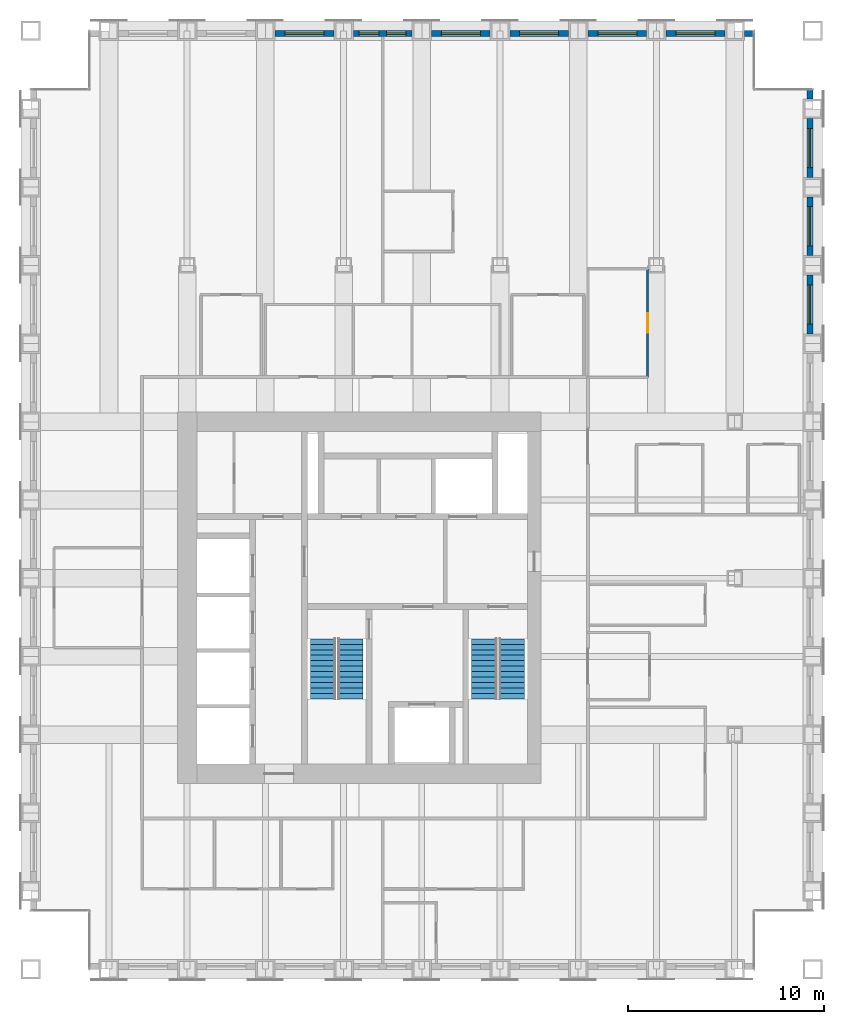
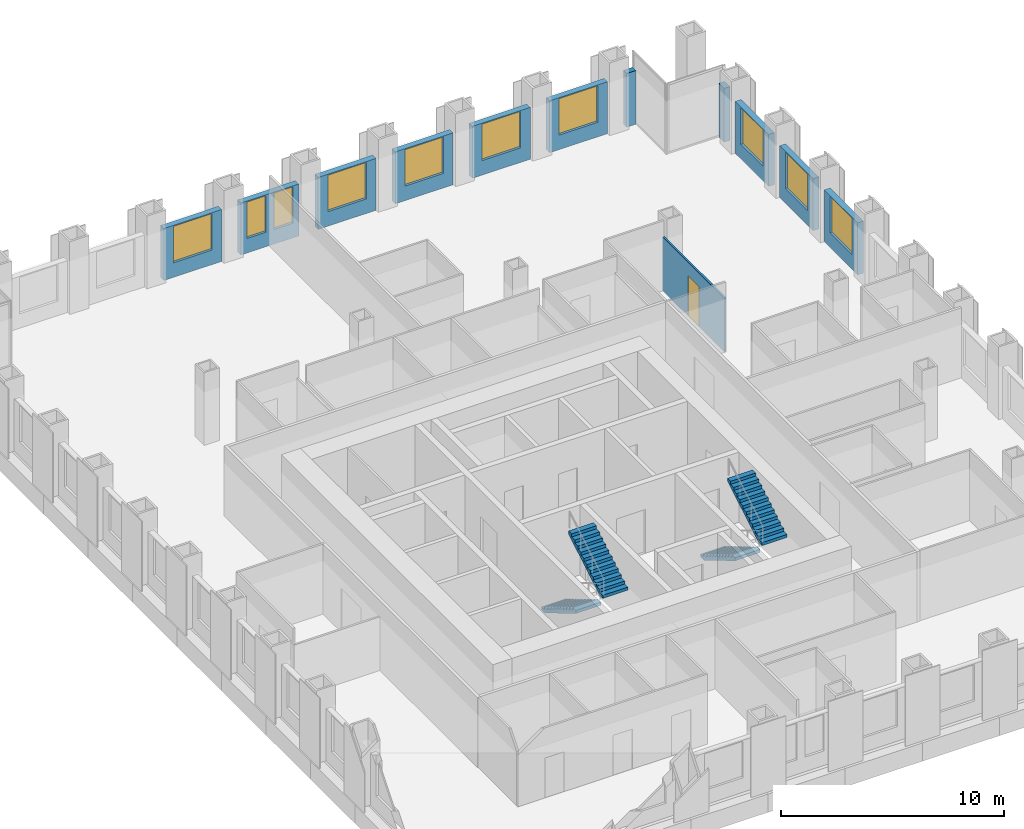
# One storey, part 12 of 14: 12 walls, 10 windows, 4 stair flights, 1 door, 11 openings, 2 elements without a shape of their own.
"""IFC4 building model written with IfcOpenShell, lengths in metres."""

import ifcopenshell
import ifcopenshell.guid

model = None  # the IFC model being written
_history = None  # IfcOwnerHistory: only IFC2X3 demands one
_inside = {}  # id of a spatial element -> (the spatial element, [elements in it])
_under = {}  # id of a project, library or spatial element -> (it, [spatial elements below it])
_declared = {}  # id of a project -> (the project, [libraries it declares])
_typed = {}  # id of a type object -> (the type object, [elements of that type])
_made_of = {}  # id of a material, layer set ... -> (it, [elements and type objects made of it])


def new_model(schema):
    """Start an empty IFC model of exactly this schema.

    Asked for "IFC4X3", IfcOpenShell would pick the latest addendum, in which some entities
    have other attributes; the version numbers below select the first issue.
    IFC2X3 requires an IfcOwnerHistory on every rooted entity: one is made here for all.
    """
    global model, _history
    if schema == "IFC4X3":
        model = ifcopenshell.file(schema_version=(4, 3, 0, 0))
    else:
        model = ifcopenshell.file(schema=schema)
    _inside.clear()
    _under.clear()
    _declared.clear()
    _typed.clear()
    _made_of.clear()
    _history = None
    if model.schema == "IFC2X3":
        org = make("IfcOrganization", Name="unknown")
        user = make(
            "IfcPersonAndOrganization",
            ThePerson=make("IfcPerson", FamilyName="unknown"),
            TheOrganization=org,
        )
        app = make(
            "IfcApplication",
            ApplicationDeveloper=org,
            Version="unknown",
            ApplicationFullName="unknown",
            ApplicationIdentifier="unknown",
        )
        _history = make(
            "IfcOwnerHistory",
            OwningUser=user,
            OwningApplication=app,
            ChangeAction="ADDED",
            CreationDate=0,
        )
    return model


def make(cls, **values):
    """One entity of the class cls with the attributes given. An attribute that is None is left unset."""
    return model.create_entity(
        cls, **{name: value for name, value in values.items() if value is not None}
    )


def rooted(cls, **values):
    """An entity with a GlobalId (a new one), such as an element, a storey or a relation."""
    return make(cls, GlobalId=ifcopenshell.guid.new(), OwnerHistory=_history, **values)


def si_unit(unit_type, name, prefix=None):
    """IfcSIUnit, for example si_unit("LENGTHUNIT", "METRE", prefix="MILLI")."""
    return make("IfcSIUnit", UnitType=unit_type, Prefix=prefix, Name=name)


def assignment(units):
    """IfcUnitAssignment: the units of a project."""
    return None if units is None else make("IfcUnitAssignment", Units=units)


def point(xyz):
    """IfcCartesianPoint."""
    return None if xyz is None else make("IfcCartesianPoint", Coordinates=xyz)


def direction(xyz):
    """IfcDirection."""
    return None if xyz is None else make("IfcDirection", DirectionRatios=xyz)


def frame(location, z_axis=None, x_axis=None):
    """IfcAxis2Placement3D, a coordinate frame: its origin and axes. An axis left out is left unset."""
    return make(
        "IfcAxis2Placement3D",
        Location=point(location),
        Axis=direction(z_axis),
        RefDirection=direction(x_axis),
    )


def frame_2d(location, x_axis=None):
    """IfcAxis2Placement2D, a coordinate frame in the plane: its origin and x axis."""
    return make(
        "IfcAxis2Placement2D", Location=point(location), RefDirection=direction(x_axis)
    )


def origin():
    """The frame at (0, 0, 0) with its axes left unset."""
    return frame((0.0, 0.0, 0.0))


def place(relative_to, where):
    """IfcLocalPlacement: puts the frame where relative to a parent placement (None: the world)."""
    return make(
        "IfcLocalPlacement", PlacementRelTo=relative_to, RelativePlacement=where
    )


def context(
    kind, dimensions, precision=None, world=None, true_north=None, identifier=None
):
    """IfcGeometricRepresentationContext, for example the 3D "Model" context."""
    return make(
        "IfcGeometricRepresentationContext",
        ContextIdentifier=identifier,
        ContextType=kind,
        CoordinateSpaceDimension=dimensions,
        Precision=precision,
        WorldCoordinateSystem=world,
        TrueNorth=true_north,
    )


def subcontext(parent, identifier, kind, view, scale=None):
    """IfcGeometricRepresentationSubContext, for example "Body" below "Model"."""
    return make(
        "IfcGeometricRepresentationSubContext",
        ContextIdentifier=identifier,
        ContextType=kind,
        ParentContext=parent,
        TargetScale=scale,
        TargetView=view,
    )


def project(units=None, contexts=None):
    """IfcProject with its units and contexts."""
    return rooted(
        "IfcProject",
        Name="project",
        RepresentationContexts=contexts,
        UnitsInContext=assignment(units),
    )


def spatial(cls, under=None, at=None, **own):
    """A site, building, storey or space (cls), placed at a placement, below another one or the project."""
    s = rooted(cls, ObjectPlacement=at, **own)
    if under is not None:
        _under.setdefault(under.id(), (under, []))[1].append(s)
    return s


def polyline(points):
    """IfcPolyline through the points."""
    return make("IfcPolyline", Points=[point(p) for p in points])


def profile(cls, at=None, kind="AREA", **sizes):
    """A parametric profile (cls). Its sizes go by their IFC names, for example OverallWidth=200.0."""
    return make(cls, ProfileType=kind, Position=at, **sizes)


def rectangle(**sizes):
    """IfcRectangleProfileDef."""
    return profile("IfcRectangleProfileDef", **sizes)


def outline(outer, holes=None, kind="AREA"):
    """IfcArbitraryClosedProfileDef: a profile drawn as a closed curve; with holes, ...WithVoids."""
    if holes is None:
        return make("IfcArbitraryClosedProfileDef", ProfileType=kind, OuterCurve=outer)
    return make(
        "IfcArbitraryProfileDefWithVoids",
        ProfileType=kind,
        OuterCurve=outer,
        InnerCurves=holes,
    )


def extrude(swept, where, along, depth):
    """IfcExtrudedAreaSolid: the profile swept, set in the frame where, extruded along a direction by depth."""
    return make(
        "IfcExtrudedAreaSolid",
        SweptArea=swept,
        Position=where,
        ExtrudedDirection=direction(along),
        Depth=depth,
    )


def shape(context_of_items, identifier, shape_type, items):
    """IfcShapeRepresentation: the items that make up one representation, for example the "Body"."""
    return make(
        "IfcShapeRepresentation",
        ContextOfItems=context_of_items,
        RepresentationIdentifier=identifier,
        RepresentationType=shape_type,
        Items=items,
    )


def material(Name=None, Category=None):
    """IfcMaterial."""
    return make("IfcMaterial", Name=Name, Category=Category)


def layer(
    of_material, thickness, ventilated=None, Name=None, Category=None, Priority=None
):
    """IfcMaterialLayer: one layer of a wall or slab, of a material (None: an air gap)."""
    return make(
        "IfcMaterialLayer",
        Material=of_material,
        LayerThickness=thickness,
        IsVentilated=ventilated,
        Name=Name,
        Category=Category,
        Priority=Priority,
    )


def layer_set(layers, Name=None):
    """IfcMaterialLayerSet."""
    return make("IfcMaterialLayerSet", MaterialLayers=layers, LayerSetName=Name)


def made_of(thing, what):
    """Note that an element or type object is made of a material, layer set ...; save() writes the relation."""
    if what is not None:
        _made_of.setdefault(what.id(), (what, []))[1].append(thing)
    return thing


def type_object(cls, material=None, **own):
    """A type object (cls), such as IfcWallType, which elements share."""
    return made_of(rooted(cls, **own), material)


def element(
    cls,
    number,
    at=None,
    inside=None,
    cuts=None,
    type_object=None,
    material=None,
    context=None,
    identifier="Body",
    shape_type=None,
    held_by="IfcProductDefinitionShape",
    body=None,
    shapes=None,
    **own,
):
    """One element of the class cls, such as IfcWall. Its Tag is "e" and its number.

    at: its placement. inside: the storey or other place that contains it. cuts: it is an
    opening in that element (IfcRelVoidsElement). A single representation is given by context,
    identifier, shape_type and body (its items); several are given by shapes. held_by: the class
    of the entity that holds the representations. save() writes the other relations.
    """
    e = rooted(cls, Tag="e%d" % number, ObjectPlacement=at, **own)
    if body is not None:
        shapes = [shape(context, identifier, shape_type, body)]
    if shapes is not None:
        e.Representation = make(held_by, Representations=shapes)
    if inside is not None:
        _inside.setdefault(inside.id(), (inside, []))[1].append(e)
    if cuts is not None:
        rooted(
            "IfcRelVoidsElement", RelatingBuildingElement=cuts, RelatedOpeningElement=e
        )
    if type_object is not None:
        _typed.setdefault(type_object.id(), (type_object, []))[1].append(e)
    return made_of(e, material)


def fill(opening, filler):
    """IfcRelFillsElement: the door or window that sits in an opening."""
    return rooted(
        "IfcRelFillsElement",
        RelatingOpeningElement=opening,
        RelatedBuildingElement=filler,
    )


def aggregate(whole, parts):
    """IfcRelAggregates: a whole, such as a stair, and the parts it consists of."""
    return rooted("IfcRelAggregates", RelatingObject=whole, RelatedObjects=parts)


def save(model, path):
    """Write the relations noted so far, then the file.

    IfcRelAggregates (storeys below a building ...), IfcRelContainedInSpatialStructure (elements
    in a storey), IfcRelDefinesByType, IfcRelAssociatesMaterial and IfcRelDeclares: one each for
    every whole, place, type object, material and project.
    """
    for whole, parts in _under.values():
        aggregate(whole, parts)
    for where, things in _inside.values():
        rooted(
            "IfcRelContainedInSpatialStructure",
            RelatedElements=things,
            RelatingStructure=where,
        )
    for kind, things in _typed.values():
        rooted("IfcRelDefinesByType", RelatedObjects=things, RelatingType=kind)
    for what, things in _made_of.values():
        rooted("IfcRelAssociatesMaterial", RelatedObjects=things, RelatingMaterial=what)
    for by, libraries in _declared.values():
        rooted("IfcRelDeclares", RelatingContext=by, RelatedDefinitions=libraries)
    model.write(path)


model = new_model("IFC4")

# Units and contexts
model_context = context("Model", 3, precision=1e-05, world=origin(), true_north=direction((0.0, 1.0)))
body_context = subcontext(model_context, "Body", "Model", "MODEL_VIEW")
ifc_project = project(units=[si_unit("LENGTHUNIT", "METRE"), si_unit("AREAUNIT", "SQUARE_METRE"), si_unit("VOLUMEUNIT", "CUBIC_METRE"), si_unit("PLANEANGLEUNIT", "RADIAN"), si_unit("MASSUNIT", "GRAM", prefix="KILO")], contexts=[model_context])

# Site, building, storey
site_placement = place(None, origin())
site = spatial("IfcSite", under=ifc_project, at=site_placement, CompositionType="ELEMENT")
building_placement = place(site_placement, origin())
building = spatial("IfcBuilding", under=site, at=building_placement, Name="Rimbunsela Tower", CompositionType="ELEMENT")
storey_placement = place(building_placement, frame((0.0, 0.0, 230.199951171875)))
storey = spatial("IfcBuildingStorey", under=building, at=storey_placement, Name="L55", CompositionType="ELEMENT", Elevation=230.199951171875)

# Wall, opening, door
ifc_material_1 = material(Name="Gypsum board on steel studs", Category="steel")
ifc_layer_1 = layer(ifc_material_1, 0.10009765625)
ifc_layer_set_1 = layer_set([ifc_layer_1], Name="Office partition 100")
wall_type_1 = type_object("IfcWallType", Name="Office partition 100", PredefinedType="PARTITIONING", material=ifc_layer_set_1)
wall_1_placement = place(storey_placement, frame((41.550048828125, 38.27587890625, 0.0), z_axis=(0.0, 0.0, 1.0), x_axis=(0.0, 1.0, 0.0)))
wall_1 = element("IfcWall", 1, at=wall_1_placement, inside=storey, type_object=wall_type_1, Name="Office partition", PredefinedType="PARTITIONING", context=body_context, shape_type="SweptSolid", body=[
    extrude(rectangle(XDim=5.550048828125, YDim=0.10009765625, at=frame_2d((2.77490234375, 0.0))), origin(), (0.0, 0.0, 1.0), 2.949951171875),
])
opening_1_placement = place(wall_1_placement, frame((2.27490234375, 0.0, 0.0)))
opening_1 = element("IfcOpeningElement", 2, at=opening_1_placement, cuts=wall_1, Name="Opening D17", PredefinedType="OPENING", context=body_context, shape_type="SweptSolid", body=[
    extrude(rectangle(XDim=1.0, YDim=2.199951171875, at=frame_2d((0.5, 1.10009765625))), frame((0.0, 0.06005859375, 0.0), z_axis=(0.0, -1.0, 0.0), x_axis=(1.0, 0.0, 0.0)), (0.0, 0.0, 1.0), 0.1201171875),
])
ifc_material_2 = material(Name="Glazed aluminium door", Category="aluminium")
door_type = type_object("IfcDoorType", Name="Meeting room door 1000 glazed", OperationType="SINGLE_SWING_RIGHT", PredefinedType="DOOR", material=ifc_material_2)
door_placement = place(opening_1_placement, origin())
door = element("IfcDoor", 3, at=door_placement, inside=storey, type_object=door_type, Name="Reception door", OperationType="SINGLE_SWING_RIGHT", OverallHeight=2.199951171875, OverallWidth=1.0, PredefinedType="DOOR", context=body_context, shape_type="SweptSolid", body=[
    extrude(rectangle(XDim=1.0, YDim=2.199951171875, at=frame_2d((0.5, 1.10009765625))), frame((0.0, 0.02490234375, 0.0), z_axis=(0.0, -1.0, 0.0), x_axis=(1.0, 0.0, 0.0)), (0.0, 0.0, 1.0), 0.050048828125),
])
fill(opening_1, door)

# Wall, opening, window
ifc_material_3 = material(Name="Precast concrete fc' 35 MPa", Category="concrete")
ifc_layer_2 = layer(ifc_material_3, 0.300048828125)
ifc_layer_set_2 = layer_set([ifc_layer_2], Name="Precast concrete fc' 35 MPa")
wall_type_2 = type_object("IfcWallType", Name="Precast facade panel 300", PredefinedType="ELEMENTEDWALL", material=ifc_layer_set_2)
wall_2_placement = place(storey_placement, frame((49.85009765625, 40.5, 0.0), z_axis=(0.0, 0.0, 1.0), x_axis=(0.0, 1.0, 0.0)))
wall_2 = element("IfcWall", 4, at=wall_2_placement, inside=storey, type_object=wall_type_2, Name="Facade panel E L55", PredefinedType="ELEMENTEDWALL", context=body_context, shape_type="SweptSolid", body=[
    extrude(rectangle(XDim=3.0, YDim=0.300048828125, at=frame_2d((1.5, 0.0))), origin(), (0.0, 0.0, 1.0), 2.85009765625),
])
opening_2_placement = place(wall_2_placement, frame((0.5, 0.0, 0.800048828125)))
opening_2 = element("IfcOpeningElement", 5, at=opening_2_placement, cuts=wall_2, Name="Opening W1", PredefinedType="OPENING", context=body_context, shape_type="SweptSolid", body=[
    extrude(rectangle(XDim=2.0, YDim=2.0, at=frame_2d((1.0, 1.0))), frame((0.0, 0.159912109375, 0.0), z_axis=(0.0, -1.0, 0.0), x_axis=(1.0, 0.0, 0.0)), (0.0, 0.0, 1.0), 0.320068359375),
])
ifc_material_4 = material(Name="Clear glass in aluminium frame", Category="aluminium")
window_type_1 = type_object("IfcWindowType", Name="Window W1 2000x2000", PartitioningType="DOUBLE_PANEL_VERTICAL", PredefinedType="WINDOW", material=ifc_material_4)
window_1_placement = place(opening_2_placement, origin())
window_1 = element("IfcWindow", 6, at=window_1_placement, inside=storey, type_object=window_type_1, Name="Window L55", OverallHeight=2.0, OverallWidth=2.0, PartitioningType="SINGLE_PANEL", PredefinedType="WINDOW", context=body_context, shape_type="SweptSolid", body=[
    extrude(rectangle(XDim=2.0, YDim=2.0, at=frame_2d((1.0, 1.0))), frame((0.0, 0.030029296875, 0.0), z_axis=(0.0, -1.0, 0.0), x_axis=(1.0, 0.0, 0.0)), (0.0, 0.0, 1.0), 0.06005859375),
])
fill(opening_2, window_1)

wall_3_placement = place(storey_placement, frame((49.85009765625, 44.5, 0.0), z_axis=(0.0, 0.0, 1.0), x_axis=(0.0, 1.0, 0.0)))
wall_3 = element("IfcWall", 7, at=wall_3_placement, inside=storey, type_object=wall_type_2, Name="Facade panel E L55", PredefinedType="ELEMENTEDWALL", context=body_context, shape_type="SweptSolid", body=[
    extrude(rectangle(XDim=3.0, YDim=0.300048828125, at=frame_2d((1.5, 0.0))), origin(), (0.0, 0.0, 1.0), 2.85009765625),
])
opening_3_placement = place(wall_3_placement, frame((0.5, 0.0, 0.800048828125)))
opening_3 = element("IfcOpeningElement", 8, at=opening_3_placement, cuts=wall_3, Name="Opening W1", PredefinedType="OPENING", context=body_context, shape_type="SweptSolid", body=[
    extrude(rectangle(XDim=2.0, YDim=2.0, at=frame_2d((1.0, 1.0))), frame((0.0, 0.159912109375, 0.0), z_axis=(0.0, -1.0, 0.0), x_axis=(1.0, 0.0, 0.0)), (0.0, 0.0, 1.0), 0.320068359375),
])
window_2_placement = place(opening_3_placement, origin())
window_2 = element("IfcWindow", 9, at=window_2_placement, inside=storey, type_object=window_type_1, Name="Window L55", OverallHeight=2.0, OverallWidth=2.0, PartitioningType="SINGLE_PANEL", PredefinedType="WINDOW", context=body_context, shape_type="SweptSolid", body=[
    extrude(rectangle(XDim=2.0, YDim=2.0, at=frame_2d((1.0, 1.0))), frame((0.0, 0.030029296875, 0.0), z_axis=(0.0, -1.0, 0.0), x_axis=(1.0, 0.0, 0.0)), (0.0, 0.0, 1.0), 0.06005859375),
])
fill(opening_3, window_2)

wall_4_placement = place(storey_placement, frame((49.85009765625, 48.5, 0.0), z_axis=(0.0, 0.0, 1.0), x_axis=(0.0, 1.0, 0.0)))
wall_4 = element("IfcWall", 10, at=wall_4_placement, inside=storey, type_object=wall_type_2, Name="Facade panel E L55", PredefinedType="ELEMENTEDWALL", context=body_context, shape_type="SweptSolid", body=[
    extrude(rectangle(XDim=3.0, YDim=0.300048828125, at=frame_2d((1.5, 0.0))), origin(), (0.0, 0.0, 1.0), 2.85009765625),
])
opening_4_placement = place(wall_4_placement, frame((0.5, 0.0, 0.800048828125)))
opening_4 = element("IfcOpeningElement", 11, at=opening_4_placement, cuts=wall_4, Name="Opening W1", PredefinedType="OPENING", context=body_context, shape_type="SweptSolid", body=[
    extrude(rectangle(XDim=2.0, YDim=2.0, at=frame_2d((1.0, 1.0))), frame((0.0, 0.159912109375, 0.0), z_axis=(0.0, -1.0, 0.0), x_axis=(1.0, 0.0, 0.0)), (0.0, 0.0, 1.0), 0.320068359375),
])
window_3_placement = place(opening_4_placement, origin())
window_3 = element("IfcWindow", 12, at=window_3_placement, inside=storey, type_object=window_type_1, Name="Window L55", OverallHeight=2.0, OverallWidth=2.0, PartitioningType="SINGLE_PANEL", PredefinedType="WINDOW", context=body_context, shape_type="SweptSolid", body=[
    extrude(rectangle(XDim=2.0, YDim=2.0, at=frame_2d((1.0, 1.0))), frame((0.0, 0.030029296875, 0.0), z_axis=(0.0, -1.0, 0.0), x_axis=(1.0, 0.0, 0.0)), (0.0, 0.0, 1.0), 0.06005859375),
])
fill(opening_4, window_3)

# Wall
wall_5_placement = place(storey_placement, frame((49.85009765625, 52.5, 0.0), z_axis=(0.0, 0.0, 1.0), x_axis=(0.0, 1.0, 0.0)))
element("IfcWall", 13, at=wall_5_placement, inside=storey, type_object=wall_type_2, Name="Facade panel E L55", PredefinedType="ELEMENTEDWALL", context=body_context, shape_type="SweptSolid", body=[
    extrude(rectangle(XDim=0.469970703125, YDim=0.300048828125, at=frame_2d((0.23486328125, 0.0))), origin(), (0.0, 0.0, 1.0), 2.949951171875),
])

# Wall, opening, window
wall_6_placement = place(storey_placement, frame((25.5, 55.85009765625, 0.0), z_axis=(0.0, 0.0, 1.0), x_axis=(-1.0, 0.0, 0.0)))
wall_6 = element("IfcWall", 14, at=wall_6_placement, inside=storey, type_object=wall_type_2, Name="Facade panel N L55", PredefinedType="ELEMENTEDWALL", context=body_context, shape_type="SweptSolid", body=[
    extrude(rectangle(XDim=3.0, YDim=0.300048828125, at=frame_2d((1.5, 0.0))), origin(), (0.0, 0.0, 1.0), 2.85009765625),
])
opening_5_placement = place(wall_6_placement, frame((0.5, 0.0, 0.800048828125)))
opening_5 = element("IfcOpeningElement", 15, at=opening_5_placement, cuts=wall_6, Name="Opening W1", PredefinedType="OPENING", context=body_context, shape_type="SweptSolid", body=[
    extrude(rectangle(XDim=2.0, YDim=2.0, at=frame_2d((1.0, 1.0))), frame((0.0, 0.159912109375, 0.0), z_axis=(0.0, -1.0, 0.0), x_axis=(1.0, 0.0, 0.0)), (0.0, 0.0, 1.0), 0.320068359375),
])
window_4_placement = place(opening_5_placement, origin())
window_4 = element("IfcWindow", 16, at=window_4_placement, inside=storey, type_object=window_type_1, Name="Window L55", OverallHeight=2.0, OverallWidth=2.0, PartitioningType="SINGLE_PANEL", PredefinedType="WINDOW", context=body_context, shape_type="SweptSolid", body=[
    extrude(rectangle(XDim=2.0, YDim=2.0, at=frame_2d((1.0, 1.0))), frame((0.0, 0.030029296875, 0.0), z_axis=(0.0, -1.0, 0.0), x_axis=(1.0, 0.0, 0.0)), (0.0, 0.0, 1.0), 0.06005859375),
])
fill(opening_5, window_4)

# Wall, openings, windows
wall_7_placement = place(storey_placement, frame((29.5, 55.85009765625, 0.0), z_axis=(0.0, 0.0, 1.0), x_axis=(-1.0, 0.0, 0.0)))
wall_7 = element("IfcWall", 17, at=wall_7_placement, inside=storey, type_object=wall_type_2, Name="Facade panel N L55", PredefinedType="ELEMENTEDWALL", context=body_context, shape_type="SweptSolid", body=[
    extrude(rectangle(XDim=3.0, YDim=0.300048828125, at=frame_2d((1.5, 0.0))), origin(), (0.0, 0.0, 1.0), 2.85009765625),
])
opening_6_placement = place(wall_7_placement, frame((1.699951171875, 0.0, 0.800048828125)))
opening_6 = element("IfcOpeningElement", 18, at=opening_6_placement, cuts=wall_7, Name="Opening W5", PredefinedType="OPENING", context=body_context, shape_type="SweptSolid", body=[
    extrude(rectangle(XDim=1.0, YDim=2.0, at=frame_2d((0.5, 1.0))), frame((0.0, 0.159912109375, 0.0), z_axis=(0.0, -1.0, 0.0), x_axis=(1.0, 0.0, 0.0)), (0.0, 0.0, 1.0), 0.320068359375),
])
opening_7_placement = place(wall_7_placement, frame((0.300048828125, 0.0, 0.800048828125)))
opening_7 = element("IfcOpeningElement", 19, at=opening_7_placement, cuts=wall_7, Name="Opening W5", PredefinedType="OPENING", context=body_context, shape_type="SweptSolid", body=[
    extrude(rectangle(XDim=1.0, YDim=2.0, at=frame_2d((0.5, 1.0))), frame((0.0, 0.159912109375, 0.0), z_axis=(0.0, -1.0, 0.0), x_axis=(1.0, 0.0, 0.0)), (0.0, 0.0, 1.0), 0.320068359375),
])
ifc_material_5 = material(Name="Clear glass in aluminium frame", Category="aluminium")
window_type_2 = type_object("IfcWindowType", Name="Window W5 1000x2000", PartitioningType="SINGLE_PANEL", PredefinedType="WINDOW", material=ifc_material_5)
window_5_placement = place(opening_6_placement, origin())
window_5 = element("IfcWindow", 20, at=window_5_placement, inside=storey, type_object=window_type_2, Name="Window L55", OverallHeight=2.0, OverallWidth=1.0, PartitioningType="SINGLE_PANEL", PredefinedType="WINDOW", context=body_context, shape_type="SweptSolid", body=[
    extrude(rectangle(XDim=1.0, YDim=2.0, at=frame_2d((0.5, 1.0))), frame((0.0, 0.030029296875, 0.0), z_axis=(0.0, -1.0, 0.0), x_axis=(1.0, 0.0, 0.0)), (0.0, 0.0, 1.0), 0.06005859375),
])
fill(opening_6, window_5)
window_6_placement = place(opening_7_placement, origin())
window_6 = element("IfcWindow", 21, at=window_6_placement, inside=storey, type_object=window_type_2, Name="Window L55", OverallHeight=2.0, OverallWidth=1.0, PartitioningType="SINGLE_PANEL", PredefinedType="WINDOW", context=body_context, shape_type="SweptSolid", body=[
    extrude(rectangle(XDim=1.0, YDim=2.0, at=frame_2d((0.5, 1.0))), frame((0.0, 0.030029296875, 0.0), z_axis=(0.0, -1.0, 0.0), x_axis=(1.0, 0.0, 0.0)), (0.0, 0.0, 1.0), 0.06005859375),
])
fill(opening_7, window_6)

# Wall, opening, window
wall_8_placement = place(storey_placement, frame((33.5, 55.85009765625, 0.0), z_axis=(0.0, 0.0, 1.0), x_axis=(-1.0, 0.0, 0.0)))
wall_8 = element("IfcWall", 22, at=wall_8_placement, inside=storey, type_object=wall_type_2, Name="Facade panel N L55", PredefinedType="ELEMENTEDWALL", context=body_context, shape_type="SweptSolid", body=[
    extrude(rectangle(XDim=3.0, YDim=0.300048828125, at=frame_2d((1.5, 0.0))), origin(), (0.0, 0.0, 1.0), 2.85009765625),
])
opening_8_placement = place(wall_8_placement, frame((0.5, 0.0, 0.800048828125)))
opening_8 = element("IfcOpeningElement", 23, at=opening_8_placement, cuts=wall_8, Name="Opening W1", PredefinedType="OPENING", context=body_context, shape_type="SweptSolid", body=[
    extrude(rectangle(XDim=2.0, YDim=2.0, at=frame_2d((1.0, 1.0))), frame((0.0, 0.159912109375, 0.0), z_axis=(0.0, -1.0, 0.0), x_axis=(1.0, 0.0, 0.0)), (0.0, 0.0, 1.0), 0.320068359375),
])
window_7_placement = place(opening_8_placement, origin())
window_7 = element("IfcWindow", 24, at=window_7_placement, inside=storey, type_object=window_type_1, Name="Window L55", OverallHeight=2.0, OverallWidth=2.0, PartitioningType="SINGLE_PANEL", PredefinedType="WINDOW", context=body_context, shape_type="SweptSolid", body=[
    extrude(rectangle(XDim=2.0, YDim=2.0, at=frame_2d((1.0, 1.0))), frame((0.0, 0.030029296875, 0.0), z_axis=(0.0, -1.0, 0.0), x_axis=(1.0, 0.0, 0.0)), (0.0, 0.0, 1.0), 0.06005859375),
])
fill(opening_8, window_7)

wall_9_placement = place(storey_placement, frame((37.5, 55.85009765625, 0.0), z_axis=(0.0, 0.0, 1.0), x_axis=(-1.0, 0.0, 0.0)))
wall_9 = element("IfcWall", 25, at=wall_9_placement, inside=storey, type_object=wall_type_2, Name="Facade panel N L55", PredefinedType="ELEMENTEDWALL", context=body_context, shape_type="SweptSolid", body=[
    extrude(rectangle(XDim=3.0, YDim=0.300048828125, at=frame_2d((1.5, 0.0))), origin(), (0.0, 0.0, 1.0), 2.85009765625),
])
opening_9_placement = place(wall_9_placement, frame((0.5, 0.0, 0.800048828125)))
opening_9 = element("IfcOpeningElement", 26, at=opening_9_placement, cuts=wall_9, Name="Opening W1", PredefinedType="OPENING", context=body_context, shape_type="SweptSolid", body=[
    extrude(rectangle(XDim=2.0, YDim=2.0, at=frame_2d((1.0, 1.0))), frame((0.0, 0.159912109375, 0.0), z_axis=(0.0, -1.0, 0.0), x_axis=(1.0, 0.0, 0.0)), (0.0, 0.0, 1.0), 0.320068359375),
])
window_8_placement = place(opening_9_placement, origin())
window_8 = element("IfcWindow", 27, at=window_8_placement, inside=storey, type_object=window_type_1, Name="Window L55", OverallHeight=2.0, OverallWidth=2.0, PartitioningType="SINGLE_PANEL", PredefinedType="WINDOW", context=body_context, shape_type="SweptSolid", body=[
    extrude(rectangle(XDim=2.0, YDim=2.0, at=frame_2d((1.0, 1.0))), frame((0.0, 0.030029296875, 0.0), z_axis=(0.0, -1.0, 0.0), x_axis=(1.0, 0.0, 0.0)), (0.0, 0.0, 1.0), 0.06005859375),
])
fill(opening_9, window_8)

wall_10_placement = place(storey_placement, frame((41.5, 55.85009765625, 0.0), z_axis=(0.0, 0.0, 1.0), x_axis=(-1.0, 0.0, 0.0)))
wall_10 = element("IfcWall", 28, at=wall_10_placement, inside=storey, type_object=wall_type_2, Name="Facade panel N L55", PredefinedType="ELEMENTEDWALL", context=body_context, shape_type="SweptSolid", body=[
    extrude(rectangle(XDim=3.0, YDim=0.300048828125, at=frame_2d((1.5, 0.0))), origin(), (0.0, 0.0, 1.0), 2.85009765625),
])
opening_10_placement = place(wall_10_placement, frame((0.5, 0.0, 0.800048828125)))
opening_10 = element("IfcOpeningElement", 29, at=opening_10_placement, cuts=wall_10, Name="Opening W1", PredefinedType="OPENING", context=body_context, shape_type="SweptSolid", body=[
    extrude(rectangle(XDim=2.0, YDim=2.0, at=frame_2d((1.0, 1.0))), frame((0.0, 0.159912109375, 0.0), z_axis=(0.0, -1.0, 0.0), x_axis=(1.0, 0.0, 0.0)), (0.0, 0.0, 1.0), 0.320068359375),
])
window_9_placement = place(opening_10_placement, origin())
window_9 = element("IfcWindow", 30, at=window_9_placement, inside=storey, type_object=window_type_1, Name="Window L55", OverallHeight=2.0, OverallWidth=2.0, PartitioningType="SINGLE_PANEL", PredefinedType="WINDOW", context=body_context, shape_type="SweptSolid", body=[
    extrude(rectangle(XDim=2.0, YDim=2.0, at=frame_2d((1.0, 1.0))), frame((0.0, 0.030029296875, 0.0), z_axis=(0.0, -1.0, 0.0), x_axis=(1.0, 0.0, 0.0)), (0.0, 0.0, 1.0), 0.06005859375),
])
fill(opening_10, window_9)

wall_11_placement = place(storey_placement, frame((45.5, 55.85009765625, 0.0), z_axis=(0.0, 0.0, 1.0), x_axis=(-1.0, 0.0, 0.0)))
wall_11 = element("IfcWall", 31, at=wall_11_placement, inside=storey, type_object=wall_type_2, Name="Facade panel N L55", PredefinedType="ELEMENTEDWALL", context=body_context, shape_type="SweptSolid", body=[
    extrude(rectangle(XDim=3.0, YDim=0.300048828125, at=frame_2d((1.5, 0.0))), origin(), (0.0, 0.0, 1.0), 2.85009765625),
])
opening_11_placement = place(wall_11_placement, frame((0.5, 0.0, 0.800048828125)))
opening_11 = element("IfcOpeningElement", 32, at=opening_11_placement, cuts=wall_11, Name="Opening W1", PredefinedType="OPENING", context=body_context, shape_type="SweptSolid", body=[
    extrude(rectangle(XDim=2.0, YDim=2.0, at=frame_2d((1.0, 1.0))), frame((0.0, 0.159912109375, 0.0), z_axis=(0.0, -1.0, 0.0), x_axis=(1.0, 0.0, 0.0)), (0.0, 0.0, 1.0), 0.320068359375),
])
window_10_placement = place(opening_11_placement, origin())
window_10 = element("IfcWindow", 33, at=window_10_placement, inside=storey, type_object=window_type_1, Name="Window L55", OverallHeight=2.0, OverallWidth=2.0, PartitioningType="SINGLE_PANEL", PredefinedType="WINDOW", context=body_context, shape_type="SweptSolid", body=[
    extrude(rectangle(XDim=2.0, YDim=2.0, at=frame_2d((1.0, 1.0))), frame((0.0, 0.030029296875, 0.0), z_axis=(0.0, -1.0, 0.0), x_axis=(1.0, 0.0, 0.0)), (0.0, 0.0, 1.0), 0.06005859375),
])
fill(opening_11, window_10)

# Wall
wall_12_placement = place(storey_placement, frame((46.969970703125, 55.85009765625, 0.0), z_axis=(0.0, 0.0, 1.0), x_axis=(-1.0, 0.0, 0.0)))
element("IfcWall", 34, at=wall_12_placement, inside=storey, type_object=wall_type_2, Name="Facade panel N L55", PredefinedType="ELEMENTEDWALL", context=body_context, shape_type="SweptSolid", body=[
    extrude(rectangle(XDim=0.469970703125, YDim=0.300048828125, at=frame_2d((0.23486328125, 0.0))), origin(), (0.0, 0.0, 1.0), 2.949951171875),
])

# Stair, stair flights
ifc_material_6 = material(Name="Concrete fc' 35 MPa", Category="concrete")
stair_type = type_object("IfcStairType", Name="Exit stair 24 risers", PredefinedType="HALF_TURN_STAIR", material=ifc_material_6)
stair_1_placement = place(storey_placement, origin())
stair_1 = element("IfcStair", 35, at=stair_1_placement, inside=storey, type_object=stair_type, Name="Exit stair A L55", PredefinedType="HALF_TURN_STAIR")
ifc_material_7 = material(Name="Concrete fc' 35 MPa", Category="concrete")
stair_flight_type = type_object("IfcStairFlightType", Name="Stair flight 12 risers 167", PredefinedType="STRAIGHT", material=ifc_material_7)
stair_flight_1_placement = place(storey_placement, frame((24.949951171875, 24.89990234375, 0.0), z_axis=(0.0, 0.0, 1.0), x_axis=(0.0, -1.0, 0.0)))
stair_flight_1 = element("IfcStairFlight", 36, at=stair_flight_1_placement, type_object=stair_flight_type, Name="ST-A flight 1", NumberOfRisers=12, NumberOfTreads=11, PredefinedType="STRAIGHT", RiserHeight=0.166666667, TreadLength=0.28, context=body_context, shape_type="SweptSolid", body=[
    extrude(outline(polyline([(0.0, 0.0), (0.0, 0.166748046875), (0.280029296875, 0.166748046875), (0.280029296875, 0.333251953125), (0.56005859375, 0.333251953125), (0.56005859375, 0.5), (0.840087890625, 0.5), (0.840087890625, 0.666748046875), (1.1201171875, 0.666748046875), (1.1201171875, 0.833251953125), (1.39990234375, 0.833251953125), (1.39990234375, 1.0), (1.679931640625, 1.0), (1.679931640625, 1.166748046875), (1.9599609375, 1.166748046875), (1.9599609375, 1.333251953125), (2.239990234375, 1.333251953125), (2.239990234375, 1.5), (2.52001953125, 1.5), (2.52001953125, 1.666748046875), (2.800048828125, 1.666748046875), (2.800048828125, 1.833251953125), (3.080078125, 1.833251953125), (3.080078125, 2.0), (3.080078125, 1.658935546875), (0.29296875, 0.0), (0.0, 0.0)])), frame((0.0, 0.64990234375, 0.0), z_axis=(0.0, -1.0, 0.0), x_axis=(1.0, 0.0, 0.0)), (0.0, 0.0, 1.0), 1.300048828125),
])
stair_flight_2_placement = place(storey_placement, frame((26.35009765625, 21.820068359375, 2.0), z_axis=(0.0, 0.0, 1.0), x_axis=(0.0, 1.0, 0.0)))
stair_flight_2 = element("IfcStairFlight", 37, at=stair_flight_2_placement, type_object=stair_flight_type, Name="ST-A flight 2", NumberOfRisers=12, NumberOfTreads=11, PredefinedType="STRAIGHT", RiserHeight=0.166666667, TreadLength=0.28, context=body_context, shape_type="SweptSolid", body=[
    extrude(outline(polyline([(0.0, 0.0), (0.0, 0.166748046875), (0.280029296875, 0.166748046875), (0.280029296875, 0.333251953125), (0.56005859375, 0.333251953125), (0.56005859375, 0.5), (0.840087890625, 0.5), (0.840087890625, 0.666748046875), (1.1201171875, 0.666748046875), (1.1201171875, 0.833251953125), (1.39990234375, 0.833251953125), (1.39990234375, 1.0), (1.679931640625, 1.0), (1.679931640625, 1.166748046875), (1.9599609375, 1.166748046875), (1.9599609375, 1.333251953125), (2.239990234375, 1.333251953125), (2.239990234375, 1.5), (2.52001953125, 1.5), (2.52001953125, 1.666748046875), (2.800048828125, 1.666748046875), (2.800048828125, 1.833251953125), (3.080078125, 1.833251953125), (3.080078125, 2.0), (3.080078125, 1.658935546875), (0.29296875, 0.0), (0.0, 0.0)])), frame((0.0, 0.64990234375, 0.0), z_axis=(0.0, -1.0, 0.0), x_axis=(1.0, 0.0, 0.0)), (0.0, 0.0, 1.0), 1.300048828125),
])
aggregate(stair_1, [stair_flight_1, stair_flight_2])

stair_2_placement = place(storey_placement, origin())
stair_2 = element("IfcStair", 38, at=stair_2_placement, inside=storey, type_object=stair_type, Name="Exit stair B L55", PredefinedType="HALF_TURN_STAIR")
stair_flight_3_placement = place(storey_placement, frame((33.199951171875, 24.89990234375, 0.0), z_axis=(0.0, 0.0, 1.0), x_axis=(0.0, -1.0, 0.0)))
stair_flight_3 = element("IfcStairFlight", 39, at=stair_flight_3_placement, type_object=stair_flight_type, Name="ST-B flight 1", NumberOfRisers=12, NumberOfTreads=11, PredefinedType="STRAIGHT", RiserHeight=0.166666667, TreadLength=0.28, context=body_context, shape_type="SweptSolid", body=[
    extrude(outline(polyline([(0.0, 0.0), (0.0, 0.166748046875), (0.280029296875, 0.166748046875), (0.280029296875, 0.333251953125), (0.56005859375, 0.333251953125), (0.56005859375, 0.5), (0.840087890625, 0.5), (0.840087890625, 0.666748046875), (1.1201171875, 0.666748046875), (1.1201171875, 0.833251953125), (1.39990234375, 0.833251953125), (1.39990234375, 1.0), (1.679931640625, 1.0), (1.679931640625, 1.166748046875), (1.9599609375, 1.166748046875), (1.9599609375, 1.333251953125), (2.239990234375, 1.333251953125), (2.239990234375, 1.5), (2.52001953125, 1.5), (2.52001953125, 1.666748046875), (2.800048828125, 1.666748046875), (2.800048828125, 1.833251953125), (3.080078125, 1.833251953125), (3.080078125, 2.0), (3.080078125, 1.658935546875), (0.29296875, 0.0), (0.0, 0.0)])), frame((0.0, 0.64990234375, 0.0), z_axis=(0.0, -1.0, 0.0), x_axis=(1.0, 0.0, 0.0)), (0.0, 0.0, 1.0), 1.300048828125),
])
stair_flight_4_placement = place(storey_placement, frame((34.60009765625, 21.820068359375, 2.0), z_axis=(0.0, 0.0, 1.0), x_axis=(0.0, 1.0, 0.0)))
stair_flight_4 = element("IfcStairFlight", 40, at=stair_flight_4_placement, type_object=stair_flight_type, Name="ST-B flight 2", NumberOfRisers=12, NumberOfTreads=11, PredefinedType="STRAIGHT", RiserHeight=0.166666667, TreadLength=0.28, context=body_context, shape_type="SweptSolid", body=[
    extrude(outline(polyline([(0.0, 0.0), (0.0, 0.166748046875), (0.280029296875, 0.166748046875), (0.280029296875, 0.333251953125), (0.56005859375, 0.333251953125), (0.56005859375, 0.5), (0.840087890625, 0.5), (0.840087890625, 0.666748046875), (1.1201171875, 0.666748046875), (1.1201171875, 0.833251953125), (1.39990234375, 0.833251953125), (1.39990234375, 1.0), (1.679931640625, 1.0), (1.679931640625, 1.166748046875), (1.9599609375, 1.166748046875), (1.9599609375, 1.333251953125), (2.239990234375, 1.333251953125), (2.239990234375, 1.5), (2.52001953125, 1.5), (2.52001953125, 1.666748046875), (2.800048828125, 1.666748046875), (2.800048828125, 1.833251953125), (3.080078125, 1.833251953125), (3.080078125, 2.0), (3.080078125, 1.658935546875), (0.29296875, 0.0), (0.0, 0.0)])), frame((0.0, 0.64990234375, 0.0), z_axis=(0.0, -1.0, 0.0), x_axis=(1.0, 0.0, 0.0)), (0.0, 0.0, 1.0), 1.300048828125),
])
aggregate(stair_2, [stair_flight_3, stair_flight_4])

save(model, "model.ifc")
